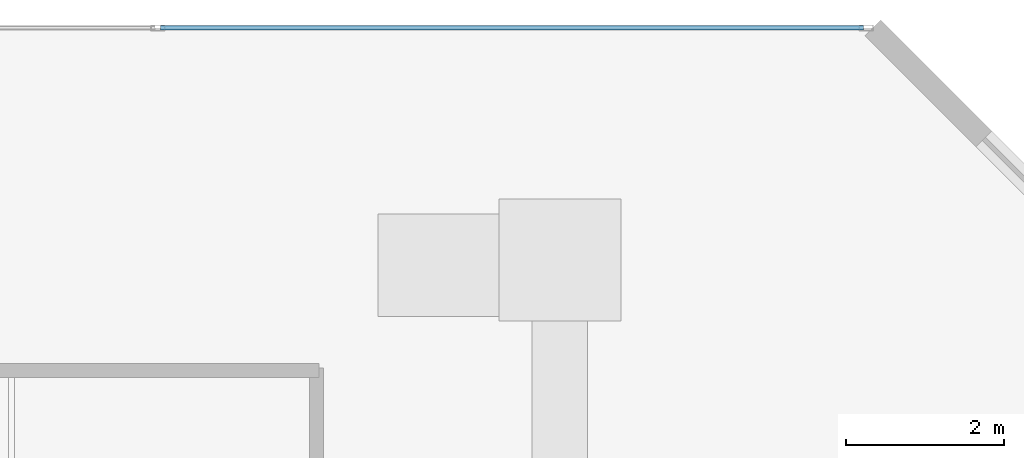
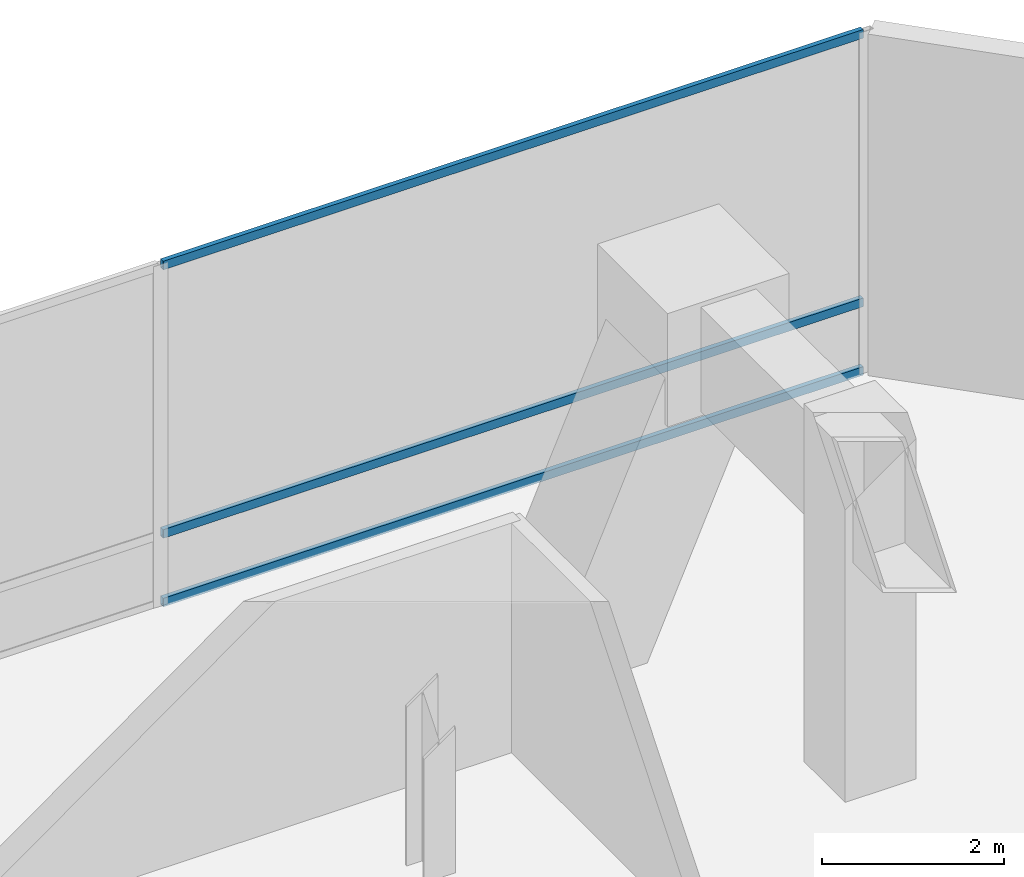
# One storey, part 25 of 45: 3 members, 1 element without a shape of its own.
"""IFC4 building model written with IfcOpenShell, lengths in metres."""

from ifc_helpers import new_model, si_unit, direction, frame, origin, origin_2d, place, context, subcontext, project, spatial, hollow_rectangle, extrude, material, layer, layer_set, material_profile, profile_set, type_object, element, aggregate, save


model = new_model("IFC4")

# Units and contexts
model_context = context("Model", 3, precision=1e-05, world=origin(), true_north=direction((0.0, 1.0)))
body_context = subcontext(model_context, "Body", "Model", "MODEL_VIEW")
ifc_project = project(units=[si_unit("LENGTHUNIT", "METRE"), si_unit("AREAUNIT", "SQUARE_METRE"), si_unit("VOLUMEUNIT", "CUBIC_METRE"), si_unit("PLANEANGLEUNIT", "RADIAN"), si_unit("MASSUNIT", "GRAM", prefix="KILO")], contexts=[model_context])

# Site, building, storey
site_placement = place(None, origin())
site = spatial("IfcSite", under=ifc_project, at=site_placement, CompositionType="ELEMENT")
building_placement = place(site_placement, origin())
building = spatial("IfcBuilding", under=site, at=building_placement, Name="Qianvela Tower", CompositionType="ELEMENT")
storey_placement = place(building_placement, frame((0.0, 0.0, 11.0)))
storey = spatial("IfcBuildingStorey", under=building, at=storey_placement, Name="L02", CompositionType="ELEMENT", Elevation=11.0)

# Curtain wall, members
ifc_material_1 = material(Name="Anodised Architectural Aluminium and Low-E Glass", Category="aluminium")
ifc_layer = layer(ifc_material_1, 0.179931640625)
ifc_layer_set = layer_set([ifc_layer], Name="Anodised Architectural Aluminium and Low-E Glass")
curtain_wall_type = type_object("IfcCurtainWallType", Name="CW-COMMONS", PredefinedType="USERDEFINED", material=ifc_layer_set)
curtain_wall_placement = place(storey_placement, origin())
curtain_wall = element("IfcCurtainWall", 1, at=curtain_wall_placement, inside=storey, type_object=curtain_wall_type, Name="L02 CW-COMMONS Curtain Wall 05", ObjectType="CURTAIN_WALL_SYSTEM", PredefinedType="USERDEFINED")
ifc_material_2 = material(Name="Anodised Architectural Aluminium 6063-T6", Category="aluminium")
ifc_material_profile = material_profile(ifc_material_2, hollow_rectangle(XDim=0.06005859375, YDim=0.114990234375, WallThickness=0.00390625, at=origin_2d()), Name="ALU-TRAN-60x115")
ifc_profile_set = profile_set([ifc_material_profile], Name="Anodised Architectural Aluminium 6063-T6")
member_type = type_object("IfcMemberType", Name="CW-COMMONS-TRAN", PredefinedType="USERDEFINED", material=ifc_profile_set)
member_1_placement = place(storey_placement, frame((68.8798828125, 50.5, 0.030029296875), z_axis=(-1.0, 0.0, 0.0), x_axis=(0.0, -1.0, 0.0)))
member_1 = element("IfcMember", 2, at=member_1_placement, type_object=member_type, Name="CW-2 transom 1.1", ObjectType="TRANSOM", PredefinedType="USERDEFINED", context=body_context, shape_type="SweptSolid", body=[
    extrude(hollow_rectangle(XDim=0.06005859375, YDim=0.114990234375, WallThickness=0.00390625, at=origin_2d()), origin(), (0.0, 0.0, 1.0), 8.880615234375),
])
member_2_placement = place(storey_placement, frame((68.8798828125, 50.5, 0.949951171875), z_axis=(-1.0, 0.0, 0.0), x_axis=(0.0, -1.0, 0.0)))
member_2 = element("IfcMember", 3, at=member_2_placement, type_object=member_type, Name="CW-2 transom 1.2", ObjectType="TRANSOM", PredefinedType="USERDEFINED", context=body_context, shape_type="SweptSolid", body=[
    extrude(hollow_rectangle(XDim=0.06005859375, YDim=0.114990234375, WallThickness=0.00390625, at=origin_2d()), origin(), (0.0, 0.0, 1.0), 8.880615234375),
])
member_3_placement = place(storey_placement, frame((68.8798828125, 50.5, 4.550048828125), z_axis=(-1.0, 0.0, 0.0), x_axis=(0.0, -1.0, 0.0)))
member_3 = element("IfcMember", 4, at=member_3_placement, type_object=member_type, Name="CW-2 transom 1.3", ObjectType="TRANSOM", PredefinedType="USERDEFINED", context=body_context, shape_type="SweptSolid", body=[
    extrude(hollow_rectangle(XDim=0.06005859375, YDim=0.114990234375, WallThickness=0.00390625, at=origin_2d()), origin(), (0.0, 0.0, 1.0), 8.880615234375),
])
aggregate(curtain_wall, [member_1, member_2, member_3])

save(model, "model.ifc")
